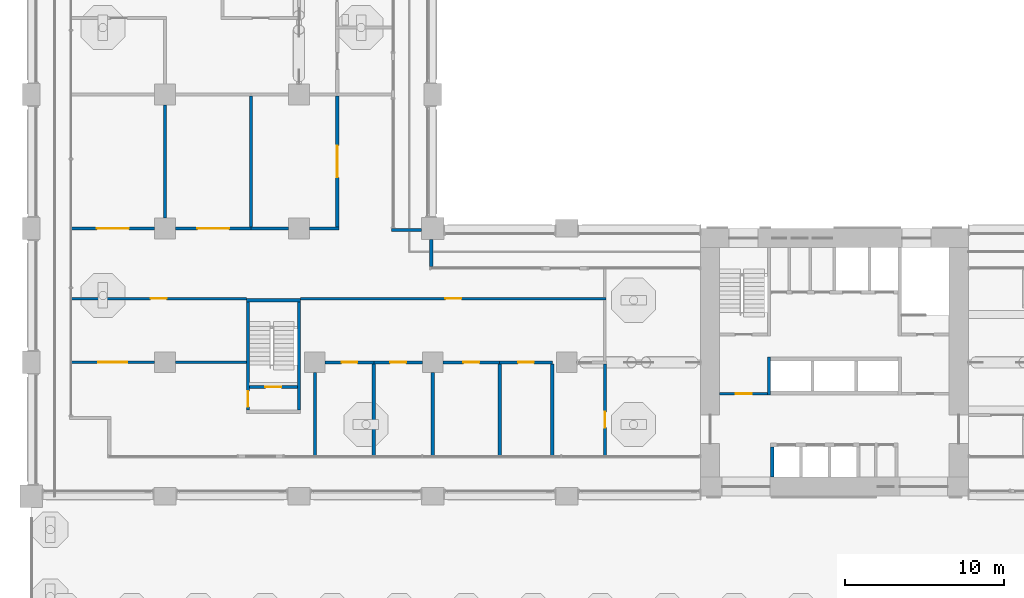
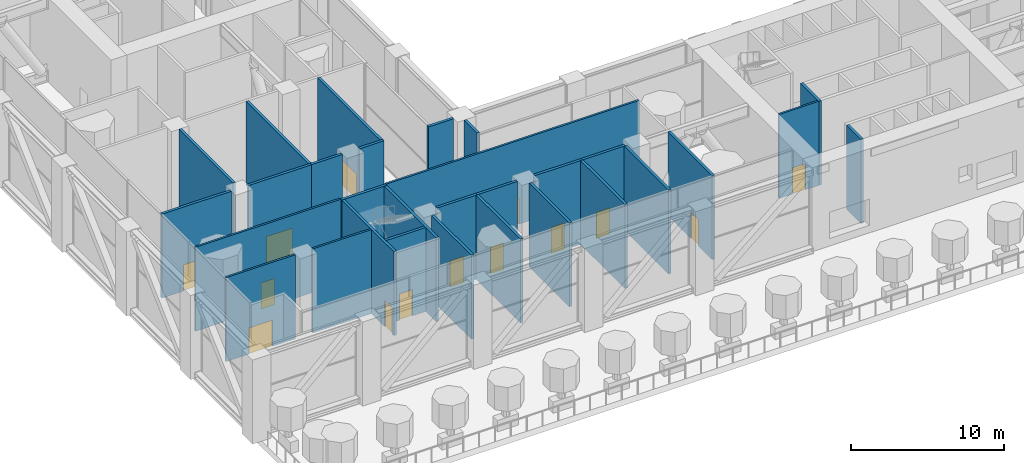
# One storey, part 10 of 28: 30 walls, 14 doors, 14 openings.
"""IFC4 building model written with IfcOpenShell, lengths in metres."""

from ifc_helpers import new_model, si_unit, direction, frame, frame_2d, origin, place, context, subcontext, project, spatial, rectangle, extrude, material, layer, layer_set, type_object, element, fill, save


model = new_model("IFC4")

# Units and contexts
model_context = context("Model", 3, precision=1e-05, world=origin(), true_north=direction((0.0, 1.0)))
body_context = subcontext(model_context, "Body", "Model", "MODEL_VIEW")
ifc_project = project(units=[si_unit("LENGTHUNIT", "METRE"), si_unit("AREAUNIT", "SQUARE_METRE"), si_unit("VOLUMEUNIT", "CUBIC_METRE"), si_unit("PLANEANGLEUNIT", "RADIAN"), si_unit("MASSUNIT", "GRAM", prefix="KILO")], contexts=[model_context])

# Site, building, storey
site_placement = place(None, origin())
site = spatial("IfcSite", under=ifc_project, at=site_placement, CompositionType="ELEMENT")
building_placement = place(site_placement, origin())
building = spatial("IfcBuilding", under=site, at=building_placement, Name="Vermilion Gate Residences", CompositionType="ELEMENT")
storey_placement = place(building_placement, frame((0.0, 0.0, 74.199951171875)))
storey = spatial("IfcBuildingStorey", under=building, at=storey_placement, Name="L18", CompositionType="ELEMENT", Elevation=74.199951171875)

# Wall, opening, door
ifc_material_1 = material(Name="Masonry blockwork", Category="masonry")
ifc_layer_1 = layer(ifc_material_1, 0.14990234375)
ifc_layer_set_1 = layer_set([ifc_layer_1], Name="BLOCKWORK PARTITION 150 EI 120")
wall_type_1 = type_object("IfcWallType", Name="BLOCKWORK PARTITION 150 EI 120", PredefinedType="PARTITIONING", material=ifc_layer_set_1)
wall_1_placement = place(storey_placement, frame((43.199951171875, 14.824951171875, 0.0), z_axis=(0.0, 0.0, 1.0), x_axis=(1.0, 0.0, 0.0)))
wall_1 = element("IfcWall", 1, at=wall_1_placement, inside=storey, type_object=wall_type_1, Name="Core room partition A18-VW-S", PredefinedType="PARTITIONING", context=body_context, shape_type="SweptSolid", body=[
    extrude(rectangle(XDim=3.0, YDim=0.14990234375, at=frame_2d((1.5, 0.0))), origin(), (0.0, 0.0, 1.0), 6.719970703125),
])
opening_1_placement = place(wall_1_placement, frame((1.0, 0.0, 0.0)))
opening_1 = element("IfcOpeningElement", 2, at=opening_1_placement, cuts=wall_1, Name="Opening DK18013", PredefinedType="OPENING", context=body_context, shape_type="SweptSolid", body=[
    extrude(rectangle(XDim=1.0, YDim=2.10009765625, at=frame_2d((0.5, 1.050048828125))), frame((0.0, 0.0849609375, 0.0), z_axis=(0.0, -1.0, 0.0), x_axis=(1.0, 0.0, 0.0)), (0.0, 0.0, 1.0), 0.169921875),
])
ifc_material_2 = material(Name="Steel", Category="steel")
door_type_1 = type_object("IfcDoorType", Name="FIRE DOOR FD60 1000 X 2100", OperationType="SINGLE_SWING_LEFT", PredefinedType="DOOR", material=ifc_material_2)
door_1_placement = place(opening_1_placement, frame((1.0, 0.0, 0.0), z_axis=(0.0, 0.0, 1.0), x_axis=(-1.0, 0.0, 0.0)))
door_1 = element("IfcDoor", 3, at=door_1_placement, inside=storey, type_object=door_type_1, Name="Stair vestibule door A18", OperationType="SINGLE_SWING_RIGHT", OverallHeight=2.10009765625, OverallWidth=1.0, PredefinedType="DOOR", context=body_context, shape_type="SweptSolid", body=[
    extrude(rectangle(XDim=1.0, YDim=2.10009765625, at=frame_2d((0.5, 1.050048828125))), frame((0.0, 0.02490234375, 0.0), z_axis=(0.0, -1.0, 0.0), x_axis=(1.0, 0.0, 0.0)), (0.0, 0.0, 1.0), 0.050048828125),
])
fill(opening_1, door_1)

# Walls
ifc_material_3 = material(Name="Insulated steel stud wall with terracotta rainscreen", Category="masonry")
ifc_layer_2 = layer(ifc_material_3, 0.199951171875)
ifc_layer_set_2 = layer_set([ifc_layer_2], Name="EXTERNAL WALL 200 TERRACOTTA RAINSCREEN")
wall_type_2 = type_object("IfcWallType", Name="EXTERNAL WALL 200 TERRACOTTA RAINSCREEN", PredefinedType="SOLIDWALL", material=ifc_layer_set_2)
wall_2_placement = place(storey_placement, frame((25.10009765625, 22.800048828125, 0.0), z_axis=(0.0, 0.0, 1.0), x_axis=(0.0, 1.0, 0.0)))
element("IfcWall", 4, at=wall_2_placement, inside=storey, type_object=wall_type_2, Name="External wall", PredefinedType="SOLIDWALL", context=body_context, shape_type="SweptSolid", body=[
    extrude(rectangle(XDim=1.699951171875, YDim=0.199951171875, at=frame_2d((0.85009765625, 0.0))), origin(), (0.0, 0.0, 1.0), 6.719970703125),
])
wall_3_placement = place(storey_placement, frame((24.5, 25.10009765625, 0.0), z_axis=(0.0, 0.0, 1.0), x_axis=(-1.0, 0.0, 0.0)))
element("IfcWall", 5, at=wall_3_placement, inside=storey, type_object=wall_type_2, Name="External wall", PredefinedType="SOLIDWALL", context=body_context, shape_type="SweptSolid", body=[
    extrude(rectangle(XDim=1.89990234375, YDim=0.199951171875, at=frame_2d((0.949951171875, 0.0))), origin(), (0.0, 0.0, 1.0), 6.719970703125),
])

# Wall, opening, door
ifc_material_4 = material(Name="Concrete blockwork", Category="masonry")
ifc_layer_3 = layer(ifc_material_4, 0.199951171875)
ifc_layer_set_3 = layer_set([ifc_layer_3], Name="FIRE WALL 200 EI 120 (AMENITY)")
wall_type_3 = type_object("IfcWallType", Name="FIRE WALL 200 EI 120 (AMENITY)", PredefinedType="PARTITIONING", material=ifc_layer_set_3)
wall_4_placement = place(storey_placement, frame((2.5, 25.199951171875, 0.0), z_axis=(0.0, 0.0, 1.0), x_axis=(1.0, 0.0, 0.0)))
wall_4 = element("IfcWall", 6, at=wall_4_placement, inside=storey, type_object=wall_type_3, Name="Fire-resisting wall 4", PredefinedType="PARTITIONING", context=body_context, shape_type="SweptSolid", body=[
    extrude(rectangle(XDim=5.25, YDim=0.199951171875, at=frame_2d((2.625, 0.0))), origin(), (0.0, 0.0, 1.0), 6.719970703125),
])
opening_2_placement = place(wall_4_placement, frame((1.625, 0.0, 0.0)))
opening_2 = element("IfcOpeningElement", 7, at=opening_2_placement, cuts=wall_4, Name="Opening DM18009", PredefinedType="OPENING", context=body_context, shape_type="SweptSolid", body=[
    extrude(rectangle(XDim=2.0, YDim=2.10009765625, at=frame_2d((1.0, 1.050048828125))), frame((0.0, 0.10986328125, 0.0), z_axis=(0.0, -1.0, 0.0), x_axis=(1.0, 0.0, 0.0)), (0.0, 0.0, 1.0), 0.219970703125),
])
ifc_material_5 = material(Name="Steel", Category="steel")
door_type_2 = type_object("IfcDoorType", Name="DOUBLE DOOR 2000 X 2100 FD60 (AMENITY)", OperationType="DOUBLE_DOOR_SINGLE_SWING", PredefinedType="DOOR", material=ifc_material_5)
door_2_placement = place(opening_2_placement, origin())
door_2 = element("IfcDoor", 8, at=door_2_placement, inside=storey, type_object=door_type_2, Name="Door L18 9", OperationType="DOUBLE_DOOR_SINGLE_SWING", OverallHeight=2.10009765625, OverallWidth=2.0, PredefinedType="DOOR", context=body_context, shape_type="SweptSolid", body=[
    extrude(rectangle(XDim=2.0, YDim=2.10009765625, at=frame_2d((1.0, 1.050048828125))), frame((0.0, 0.02490234375, 0.0), z_axis=(0.0, -1.0, 0.0), x_axis=(1.0, 0.0, 0.0)), (0.0, 0.0, 1.0), 0.050048828125),
])
fill(opening_2, door_2)

# Wall
wall_5_placement = place(storey_placement, frame((8.39990234375, 25.85009765625, 0.0), z_axis=(0.0, 0.0, 1.0), x_axis=(0.0, 1.0, 0.0)))
element("IfcWall", 9, at=wall_5_placement, inside=storey, type_object=wall_type_3, Name="Fire-resisting wall 8", PredefinedType="PARTITIONING", context=body_context, shape_type="SweptSolid", body=[
    extrude(rectangle(XDim=7.099853515625, YDim=0.199951171875, at=frame_2d((3.5498046875, 0.0))), origin(), (0.0, 0.0, 1.0), 6.719970703125),
])

# Wall, opening, door
wall_6_placement = place(storey_placement, frame((9.050048828125, 25.199951171875, 0.0), z_axis=(0.0, 0.0, 1.0), x_axis=(1.0, 0.0, 0.0)))
wall_6 = element("IfcWall", 10, at=wall_6_placement, inside=storey, type_object=wall_type_3, Name="Fire-resisting wall 9", PredefinedType="PARTITIONING", context=body_context, shape_type="SweptSolid", body=[
    extrude(rectangle(XDim=4.75, YDim=0.199951171875, at=frame_2d((2.375, 0.0))), origin(), (0.0, 0.0, 1.0), 6.719970703125),
])
opening_3_placement = place(wall_6_placement, frame((1.375, 0.0, 0.0)))
opening_3 = element("IfcOpeningElement", 11, at=opening_3_placement, cuts=wall_6, Name="Opening DM18010", PredefinedType="OPENING", context=body_context, shape_type="SweptSolid", body=[
    extrude(rectangle(XDim=2.0, YDim=2.10009765625, at=frame_2d((1.0, 1.050048828125))), frame((0.0, 0.10986328125, 0.0), z_axis=(0.0, -1.0, 0.0), x_axis=(1.0, 0.0, 0.0)), (0.0, 0.0, 1.0), 0.219970703125),
])
door_3_placement = place(opening_3_placement, origin())
door_3 = element("IfcDoor", 12, at=door_3_placement, inside=storey, type_object=door_type_2, Name="Door L18 10", OperationType="DOUBLE_DOOR_SINGLE_SWING", OverallHeight=2.10009765625, OverallWidth=2.0, PredefinedType="DOOR", context=body_context, shape_type="SweptSolid", body=[
    extrude(rectangle(XDim=2.0, YDim=2.10009765625, at=frame_2d((1.0, 1.050048828125))), frame((0.0, 0.02490234375, 0.0), z_axis=(0.0, -1.0, 0.0), x_axis=(1.0, 0.0, 0.0)), (0.0, 0.0, 1.0), 0.050048828125),
])
fill(opening_3, door_3)

# Walls
wall_7_placement = place(storey_placement, frame((13.800048828125, 25.300048828125, 0.0), z_axis=(0.0, 0.0, 1.0), x_axis=(0.0, 1.0, 0.0)))
element("IfcWall", 13, at=wall_7_placement, inside=storey, type_object=wall_type_3, Name="Fire-resisting wall 14", PredefinedType="PARTITIONING", context=body_context, shape_type="SweptSolid", body=[
    extrude(rectangle(XDim=8.199951171875, YDim=0.199951171875, at=frame_2d((4.10009765625, 0.0))), origin(), (0.0, 0.0, 1.0), 6.719970703125),
])
wall_8_placement = place(storey_placement, frame((13.800048828125, 25.199951171875, 0.0), z_axis=(0.0, 0.0, 1.0), x_axis=(1.0, 0.0, 0.0)))
element("IfcWall", 14, at=wall_8_placement, inside=storey, type_object=wall_type_3, Name="Fire-resisting wall 15", PredefinedType="PARTITIONING", context=body_context, shape_type="SweptSolid", body=[
    extrude(rectangle(XDim=2.349853515625, YDim=0.199951171875, at=frame_2d((1.1748046875, 0.0))), origin(), (0.0, 0.0, 1.0), 6.719970703125),
])
wall_9_placement = place(storey_placement, frame((17.449951171875, 25.199951171875, 0.0), z_axis=(0.0, 0.0, 1.0), x_axis=(1.0, 0.0, 0.0)))
element("IfcWall", 15, at=wall_9_placement, inside=storey, type_object=wall_type_3, Name="Fire-resisting wall 16", PredefinedType="PARTITIONING", context=body_context, shape_type="SweptSolid", body=[
    extrude(rectangle(XDim=1.85009765625, YDim=0.199951171875, at=frame_2d((0.925048828125, 0.0))), origin(), (0.0, 0.0, 1.0), 6.719970703125),
])
wall_10_placement = place(storey_placement, frame((17.800048828125, 10.89990234375, 0.0), z_axis=(0.0, 0.0, 1.0), x_axis=(0.0, 1.0, 0.0)))
element("IfcWall", 16, at=wall_10_placement, inside=storey, type_object=wall_type_3, Name="Fire-resisting wall 21", PredefinedType="PARTITIONING", context=body_context, shape_type="SweptSolid", body=[
    extrude(rectangle(XDim=5.25, YDim=0.199951171875, at=frame_2d((2.625, 0.0))), origin(), (0.0, 0.0, 1.0), 6.719970703125),
])

# Wall, opening, door
wall_11_placement = place(storey_placement, frame((18.449951171875, 16.800048828125, 0.0), z_axis=(0.0, 0.0, 1.0), x_axis=(1.0, 0.0, 0.0)))
wall_11 = element("IfcWall", 17, at=wall_11_placement, inside=storey, type_object=wall_type_3, Name="Fire-resisting wall 22", PredefinedType="PARTITIONING", context=body_context, shape_type="SweptSolid", body=[
    extrude(rectangle(XDim=3.050048828125, YDim=0.199951171875, at=frame_2d((1.52490234375, 0.0))), origin(), (0.0, 0.0, 1.0), 6.719970703125),
])
opening_4_placement = place(wall_11_placement, frame((1.02490234375, 0.0, 0.0)))
opening_4 = element("IfcOpeningElement", 18, at=opening_4_placement, cuts=wall_11, Name="Opening DM18002", PredefinedType="OPENING", context=body_context, shape_type="SweptSolid", body=[
    extrude(rectangle(XDim=1.0, YDim=2.10009765625, at=frame_2d((0.5, 1.050048828125))), frame((0.0, 0.10986328125, 0.0), z_axis=(0.0, -1.0, 0.0), x_axis=(1.0, 0.0, 0.0)), (0.0, 0.0, 1.0), 0.219970703125),
])
ifc_material_6 = material(Name="Steel", Category="steel")
door_type_3 = type_object("IfcDoorType", Name="DOOR 1000 X 2100 FD60 (AMENITY)", OperationType="SINGLE_SWING_LEFT", PredefinedType="DOOR", material=ifc_material_6)
door_4_placement = place(opening_4_placement, origin())
door_4 = element("IfcDoor", 19, at=door_4_placement, inside=storey, type_object=door_type_3, Name="Door L18 2", OperationType="SINGLE_SWING_LEFT", OverallHeight=2.10009765625, OverallWidth=1.0, PredefinedType="DOOR", context=body_context, shape_type="SweptSolid", body=[
    extrude(rectangle(XDim=1.0, YDim=2.10009765625, at=frame_2d((0.5, 1.050048828125))), frame((0.0, 0.02490234375, 0.0), z_axis=(0.0, -1.0, 0.0), x_axis=(1.0, 0.0, 0.0)), (0.0, 0.0, 1.0), 0.050048828125),
])
fill(opening_4, door_4)

wall_12_placement = place(storey_placement, frame((19.199951171875, 25.300048828125, 0.0), z_axis=(0.0, 0.0, 1.0), x_axis=(0.0, 1.0, 0.0)))
wall_12 = element("IfcWall", 20, at=wall_12_placement, inside=storey, type_object=wall_type_3, Name="Fire-resisting wall 23", PredefinedType="PARTITIONING", context=body_context, shape_type="SweptSolid", body=[
    extrude(rectangle(XDim=8.199951171875, YDim=0.199951171875, at=frame_2d((4.10009765625, 0.0))), origin(), (0.0, 0.0, 1.0), 6.719970703125),
])
opening_5_placement = place(wall_12_placement, frame((3.10009765625, 0.0, 0.0)))
opening_5 = element("IfcOpeningElement", 21, at=opening_5_placement, cuts=wall_12, Name="Opening DM18011", PredefinedType="OPENING", context=body_context, shape_type="SweptSolid", body=[
    extrude(rectangle(XDim=2.0, YDim=2.10009765625, at=frame_2d((1.0, 1.050048828125))), frame((0.0, 0.10986328125, 0.0), z_axis=(0.0, -1.0, 0.0), x_axis=(1.0, 0.0, 0.0)), (0.0, 0.0, 1.0), 0.219970703125),
])
door_5_placement = place(opening_5_placement, origin())
door_5 = element("IfcDoor", 22, at=door_5_placement, inside=storey, type_object=door_type_2, Name="Door L18 11", OperationType="DOUBLE_DOOR_SINGLE_SWING", OverallHeight=2.10009765625, OverallWidth=2.0, PredefinedType="DOOR", context=body_context, shape_type="SweptSolid", body=[
    extrude(rectangle(XDim=2.0, YDim=2.10009765625, at=frame_2d((1.0, 1.050048828125))), frame((0.0, 0.02490234375, 0.0), z_axis=(0.0, -1.0, 0.0), x_axis=(1.0, 0.0, 0.0)), (0.0, 0.0, 1.0), 0.050048828125),
])
fill(opening_5, door_5)

# Wall
wall_13_placement = place(storey_placement, frame((21.5, 10.89990234375, 0.0), z_axis=(0.0, 0.0, 1.0), x_axis=(0.0, 1.0, 0.0)))
element("IfcWall", 23, at=wall_13_placement, inside=storey, type_object=wall_type_3, Name="Fire-resisting wall 28", PredefinedType="PARTITIONING", context=body_context, shape_type="SweptSolid", body=[
    extrude(rectangle(XDim=5.800048828125, YDim=0.199951171875, at=frame_2d((2.89990234375, 0.0))), origin(), (0.0, 0.0, 1.0), 6.719970703125),
])

# Wall, opening, door
wall_14_placement = place(storey_placement, frame((21.5, 16.800048828125, 0.0), z_axis=(0.0, 0.0, 1.0), x_axis=(1.0, 0.0, 0.0)))
wall_14 = element("IfcWall", 24, at=wall_14_placement, inside=storey, type_object=wall_type_3, Name="Fire-resisting wall 29", PredefinedType="PARTITIONING", context=body_context, shape_type="SweptSolid", body=[
    extrude(rectangle(XDim=3.050048828125, YDim=0.199951171875, at=frame_2d((1.52490234375, 0.0))), origin(), (0.0, 0.0, 1.0), 6.719970703125),
])
opening_6_placement = place(wall_14_placement, frame((1.02490234375, 0.0, 0.0)))
opening_6 = element("IfcOpeningElement", 25, at=opening_6_placement, cuts=wall_14, Name="Opening DM18003", PredefinedType="OPENING", context=body_context, shape_type="SweptSolid", body=[
    extrude(rectangle(XDim=1.0, YDim=2.10009765625, at=frame_2d((0.5, 1.050048828125))), frame((0.0, 0.10986328125, 0.0), z_axis=(0.0, -1.0, 0.0), x_axis=(1.0, 0.0, 0.0)), (0.0, 0.0, 1.0), 0.219970703125),
])
door_6_placement = place(opening_6_placement, origin())
door_6 = element("IfcDoor", 26, at=door_6_placement, inside=storey, type_object=door_type_3, Name="Door L18 3", OperationType="SINGLE_SWING_RIGHT", OverallHeight=2.10009765625, OverallWidth=1.0, PredefinedType="DOOR", context=body_context, shape_type="SweptSolid", body=[
    extrude(rectangle(XDim=1.0, YDim=2.10009765625, at=frame_2d((0.5, 1.050048828125))), frame((0.0, 0.02490234375, 0.0), z_axis=(0.0, -1.0, 0.0), x_axis=(1.0, 0.0, 0.0)), (0.0, 0.0, 1.0), 0.050048828125),
])
fill(opening_6, door_6)

# Wall
wall_15_placement = place(storey_placement, frame((25.199951171875, 10.89990234375, 0.0), z_axis=(0.0, 0.0, 1.0), x_axis=(0.0, 1.0, 0.0)))
element("IfcWall", 27, at=wall_15_placement, inside=storey, type_object=wall_type_3, Name="Fire-resisting wall 30", PredefinedType="PARTITIONING", context=body_context, shape_type="SweptSolid", body=[
    extrude(rectangle(XDim=5.25, YDim=0.199951171875, at=frame_2d((2.625, 0.0))), origin(), (0.0, 0.0, 1.0), 6.719970703125),
])

# Wall, opening, door
wall_16_placement = place(storey_placement, frame((25.85009765625, 16.800048828125, 0.0), z_axis=(0.0, 0.0, 1.0), x_axis=(1.0, 0.0, 0.0)))
wall_16 = element("IfcWall", 28, at=wall_16_placement, inside=storey, type_object=wall_type_3, Name="Fire-resisting wall 31", PredefinedType="PARTITIONING", context=body_context, shape_type="SweptSolid", body=[
    extrude(rectangle(XDim=3.5498046875, YDim=0.199951171875, at=frame_2d((1.77490234375, 0.0))), origin(), (0.0, 0.0, 1.0), 6.719970703125),
])
opening_7_placement = place(wall_16_placement, frame((1.27490234375, 0.0, 0.0)))
opening_7 = element("IfcOpeningElement", 29, at=opening_7_placement, cuts=wall_16, Name="Opening DM18004", PredefinedType="OPENING", context=body_context, shape_type="SweptSolid", body=[
    extrude(rectangle(XDim=1.0, YDim=2.10009765625, at=frame_2d((0.5, 1.050048828125))), frame((0.0, 0.10986328125, 0.0), z_axis=(0.0, -1.0, 0.0), x_axis=(1.0, 0.0, 0.0)), (0.0, 0.0, 1.0), 0.219970703125),
])
door_7_placement = place(opening_7_placement, origin())
door_7 = element("IfcDoor", 30, at=door_7_placement, inside=storey, type_object=door_type_3, Name="Door L18 4", OperationType="SINGLE_SWING_LEFT", OverallHeight=2.10009765625, OverallWidth=1.0, PredefinedType="DOOR", context=body_context, shape_type="SweptSolid", body=[
    extrude(rectangle(XDim=1.0, YDim=2.10009765625, at=frame_2d((0.5, 1.050048828125))), frame((0.0, 0.02490234375, 0.0), z_axis=(0.0, -1.0, 0.0), x_axis=(1.0, 0.0, 0.0)), (0.0, 0.0, 1.0), 0.050048828125),
])
fill(opening_7, door_7)

# Wall
wall_17_placement = place(storey_placement, frame((29.39990234375, 10.89990234375, 0.0), z_axis=(0.0, 0.0, 1.0), x_axis=(0.0, 1.0, 0.0)))
element("IfcWall", 31, at=wall_17_placement, inside=storey, type_object=wall_type_3, Name="Fire-resisting wall 32", PredefinedType="PARTITIONING", context=body_context, shape_type="SweptSolid", body=[
    extrude(rectangle(XDim=5.800048828125, YDim=0.199951171875, at=frame_2d((2.89990234375, 0.0))), origin(), (0.0, 0.0, 1.0), 6.719970703125),
])

# Wall, opening, door
wall_18_placement = place(storey_placement, frame((29.39990234375, 16.800048828125, 0.0), z_axis=(0.0, 0.0, 1.0), x_axis=(1.0, 0.0, 0.0)))
wall_18 = element("IfcWall", 32, at=wall_18_placement, inside=storey, type_object=wall_type_3, Name="Fire-resisting wall 33", PredefinedType="PARTITIONING", context=body_context, shape_type="SweptSolid", body=[
    extrude(rectangle(XDim=3.300048828125, YDim=0.199951171875, at=frame_2d((1.64990234375, 0.0))), origin(), (0.0, 0.0, 1.0), 6.719970703125),
])
opening_8_placement = place(wall_18_placement, frame((1.14990234375, 0.0, 0.0)))
opening_8 = element("IfcOpeningElement", 33, at=opening_8_placement, cuts=wall_18, Name="Opening DM18005", PredefinedType="OPENING", context=body_context, shape_type="SweptSolid", body=[
    extrude(rectangle(XDim=1.0, YDim=2.10009765625, at=frame_2d((0.5, 1.050048828125))), frame((0.0, 0.10986328125, 0.0), z_axis=(0.0, -1.0, 0.0), x_axis=(1.0, 0.0, 0.0)), (0.0, 0.0, 1.0), 0.219970703125),
])
door_8_placement = place(opening_8_placement, origin())
door_8 = element("IfcDoor", 34, at=door_8_placement, inside=storey, type_object=door_type_3, Name="Door L18 5", OperationType="SINGLE_SWING_RIGHT", OverallHeight=2.10009765625, OverallWidth=1.0, PredefinedType="DOOR", context=body_context, shape_type="SweptSolid", body=[
    extrude(rectangle(XDim=1.0, YDim=2.10009765625, at=frame_2d((0.5, 1.050048828125))), frame((0.0, 0.02490234375, 0.0), z_axis=(0.0, -1.0, 0.0), x_axis=(1.0, 0.0, 0.0)), (0.0, 0.0, 1.0), 0.050048828125),
])
fill(opening_8, door_8)

# Wall
wall_19_placement = place(storey_placement, frame((32.699951171875, 10.89990234375, 0.0), z_axis=(0.0, 0.0, 1.0), x_axis=(0.0, 1.0, 0.0)))
element("IfcWall", 35, at=wall_19_placement, inside=storey, type_object=wall_type_3, Name="Fire-resisting wall 34", PredefinedType="PARTITIONING", context=body_context, shape_type="SweptSolid", body=[
    extrude(rectangle(XDim=5.800048828125, YDim=0.199951171875, at=frame_2d((2.89990234375, 0.0))), origin(), (0.0, 0.0, 1.0), 6.719970703125),
])

# Wall, opening, door
wall_20_placement = place(storey_placement, frame((36.0, 10.89990234375, 0.0), z_axis=(0.0, 0.0, 1.0), x_axis=(0.0, 1.0, 0.0)))
wall_20 = element("IfcWall", 36, at=wall_20_placement, inside=storey, type_object=wall_type_3, Name="Fire-resisting wall 36", PredefinedType="PARTITIONING", context=body_context, shape_type="SweptSolid", body=[
    extrude(rectangle(XDim=5.800048828125, YDim=0.199951171875, at=frame_2d((2.89990234375, 0.0))), origin(), (0.0, 0.0, 1.0), 6.719970703125),
])
opening_9_placement = place(wall_20_placement, frame((1.800048828125, 0.0, 0.0)))
opening_9 = element("IfcOpeningElement", 37, at=opening_9_placement, cuts=wall_20, Name="Opening DM18006", PredefinedType="OPENING", context=body_context, shape_type="SweptSolid", body=[
    extrude(rectangle(XDim=1.0, YDim=2.10009765625, at=frame_2d((0.5, 1.050048828125))), frame((0.0, 0.10986328125, 0.0), z_axis=(0.0, -1.0, 0.0), x_axis=(1.0, 0.0, 0.0)), (0.0, 0.0, 1.0), 0.219970703125),
])
door_9_placement = place(opening_9_placement, frame((1.0, 0.0, 0.0), z_axis=(0.0, 0.0, 1.0), x_axis=(-1.0, 0.0, 0.0)))
door_9 = element("IfcDoor", 38, at=door_9_placement, inside=storey, type_object=door_type_3, Name="Door L18 6", OperationType="SINGLE_SWING_LEFT", OverallHeight=2.10009765625, OverallWidth=1.0, PredefinedType="DOOR", context=body_context, shape_type="SweptSolid", body=[
    extrude(rectangle(XDim=1.0, YDim=2.10009765625, at=frame_2d((0.5, 1.050048828125))), frame((0.0, 0.02490234375, 0.0), z_axis=(0.0, -1.0, 0.0), x_axis=(1.0, 0.0, 0.0)), (0.0, 0.0, 1.0), 0.050048828125),
])
fill(opening_9, door_9)

ifc_material_7 = material(Name="Gypsum board on steel studs", Category="steel")
ifc_layer_4 = layer(ifc_material_7, 0.14990234375)
ifc_layer_set_4 = layer_set([ifc_layer_4], Name="PARTITION 150 EI 60 (AMENITY)")
wall_type_4 = type_object("IfcWallType", Name="PARTITION 150 EI 60 (AMENITY)", PredefinedType="PARTITIONING", material=ifc_layer_set_4)
wall_21_placement = place(storey_placement, frame((2.5, 16.800048828125, 0.0), z_axis=(0.0, 0.0, 1.0), x_axis=(1.0, 0.0, 0.0)))
wall_21 = element("IfcWall", 39, at=wall_21_placement, inside=storey, type_object=wall_type_4, Name="Partition 1", PredefinedType="PARTITIONING", context=body_context, shape_type="SweptSolid", body=[
    extrude(rectangle(XDim=5.25, YDim=0.14990234375, at=frame_2d((2.625, 0.0))), origin(), (0.0, 0.0, 1.0), 6.719970703125),
])
opening_10_placement = place(wall_21_placement, frame((1.72509765625, 0.0, 0.0)))
opening_10 = element("IfcOpeningElement", 40, at=opening_10_placement, cuts=wall_21, Name="Opening DM18001", PredefinedType="OPENING", context=body_context, shape_type="SweptSolid", body=[
    extrude(rectangle(XDim=1.800048828125, YDim=2.10009765625, at=frame_2d((0.89990234375, 1.050048828125))), frame((0.0, 0.0849609375, 0.0), z_axis=(0.0, -1.0, 0.0), x_axis=(1.0, 0.0, 0.0)), (0.0, 0.0, 1.0), 0.169921875),
])
ifc_material_8 = material(Name="Steel", Category="steel")
door_type_4 = type_object("IfcDoorType", Name="DOUBLE DOOR 1800 X 2100 FD30 (AMENITY)", OperationType="DOUBLE_DOOR_SINGLE_SWING", PredefinedType="DOOR", material=ifc_material_8)
door_10_placement = place(opening_10_placement, origin())
door_10 = element("IfcDoor", 41, at=door_10_placement, inside=storey, type_object=door_type_4, Name="Door L18 1", OperationType="DOUBLE_DOOR_SINGLE_SWING", OverallHeight=2.10009765625, OverallWidth=1.800048828125, PredefinedType="DOOR", context=body_context, shape_type="SweptSolid", body=[
    extrude(rectangle(XDim=1.800048828125, YDim=2.10009765625, at=frame_2d((0.89990234375, 1.050048828125))), frame((0.0, 0.02490234375, 0.0), z_axis=(0.0, -1.0, 0.0), x_axis=(1.0, 0.0, 0.0)), (0.0, 0.0, 1.0), 0.050048828125),
])
fill(opening_10, door_10)

# Wall
wall_22_placement = place(storey_placement, frame((9.050048828125, 16.800048828125, 0.0), z_axis=(0.0, 0.0, 1.0), x_axis=(1.0, 0.0, 0.0)))
element("IfcWall", 42, at=wall_22_placement, inside=storey, type_object=wall_type_4, Name="Partition 2", PredefinedType="PARTITIONING", context=body_context, shape_type="SweptSolid", body=[
    extrude(rectangle(XDim=4.449951171875, YDim=0.14990234375, at=frame_2d((2.22509765625, 0.0))), origin(), (0.0, 0.0, 1.0), 6.719970703125),
])

# Wall, opening, door
wall_23_placement = place(storey_placement, frame((2.5, 20.800048828125, 0.0), z_axis=(0.0, 0.0, 1.0), x_axis=(1.0, 0.0, 0.0)))
wall_23 = element("IfcWall", 43, at=wall_23_placement, inside=storey, type_object=wall_type_4, Name="Partition 3", PredefinedType="PARTITIONING", context=body_context, shape_type="SweptSolid", body=[
    extrude(rectangle(XDim=11.0, YDim=0.14990234375, at=frame_2d((5.5, 0.0))), origin(), (0.0, 0.0, 1.0), 6.719970703125),
])
opening_11_placement = place(wall_23_placement, frame((5.0, 0.0, 0.0)))
opening_11 = element("IfcOpeningElement", 44, at=opening_11_placement, cuts=wall_23, Name="Opening DM18013", PredefinedType="OPENING", context=body_context, shape_type="SweptSolid", body=[
    extrude(rectangle(XDim=1.0, YDim=2.10009765625, at=frame_2d((0.5, 1.050048828125))), frame((0.0, 0.0849609375, 0.0), z_axis=(0.0, -1.0, 0.0), x_axis=(1.0, 0.0, 0.0)), (0.0, 0.0, 1.0), 0.169921875),
])
ifc_material_9 = material(Name="Steel", Category="steel")
door_type_5 = type_object("IfcDoorType", Name="DOOR 1000 X 2100 FD30 (AMENITY)", OperationType="SINGLE_SWING_LEFT", PredefinedType="DOOR", material=ifc_material_9)
door_11_placement = place(opening_11_placement, frame((1.0, 0.0, 0.0), z_axis=(0.0, 0.0, 1.0), x_axis=(-1.0, 0.0, 0.0)))
door_11 = element("IfcDoor", 45, at=door_11_placement, inside=storey, type_object=door_type_5, Name="Door L18 13", OperationType="SINGLE_SWING_RIGHT", OverallHeight=2.10009765625, OverallWidth=1.0, PredefinedType="DOOR", context=body_context, shape_type="SweptSolid", body=[
    extrude(rectangle(XDim=1.0, YDim=2.10009765625, at=frame_2d((0.5, 1.050048828125))), frame((0.0, 0.02490234375, 0.0), z_axis=(0.0, -1.0, 0.0), x_axis=(1.0, 0.0, 0.0)), (0.0, 0.0, 1.0), 0.050048828125),
])
fill(opening_11, door_11)

wall_24_placement = place(storey_placement, frame((16.89990234375, 20.800048828125, 0.0), z_axis=(0.0, 0.0, 1.0), x_axis=(1.0, 0.0, 0.0)))
wall_24 = element("IfcWall", 46, at=wall_24_placement, inside=storey, type_object=wall_type_4, Name="Partition 20", PredefinedType="PARTITIONING", context=body_context, shape_type="SweptSolid", body=[
    extrude(rectangle(XDim=19.175048828125, YDim=0.14990234375, at=frame_2d((9.58740234375, 0.0))), origin(), (0.0, 0.0, 1.0), 6.719970703125),
])
opening_12_placement = place(wall_24_placement, frame((9.08740234375, 0.0, 0.0)))
opening_12 = element("IfcOpeningElement", 47, at=opening_12_placement, cuts=wall_24, Name="Opening DM18014", PredefinedType="OPENING", context=body_context, shape_type="SweptSolid", body=[
    extrude(rectangle(XDim=1.0, YDim=2.10009765625, at=frame_2d((0.5, 1.050048828125))), frame((0.0, 0.0849609375, 0.0), z_axis=(0.0, -1.0, 0.0), x_axis=(1.0, 0.0, 0.0)), (0.0, 0.0, 1.0), 0.169921875),
])
door_12_placement = place(opening_12_placement, frame((1.0, 0.0, 0.0), z_axis=(0.0, 0.0, 1.0), x_axis=(-1.0, 0.0, 0.0)))
door_12 = element("IfcDoor", 48, at=door_12_placement, inside=storey, type_object=door_type_5, Name="Door L18 14", OperationType="SINGLE_SWING_RIGHT", OverallHeight=2.10009765625, OverallWidth=1.0, PredefinedType="DOOR", context=body_context, shape_type="SweptSolid", body=[
    extrude(rectangle(XDim=1.0, YDim=2.10009765625, at=frame_2d((0.5, 1.050048828125))), frame((0.0, 0.02490234375, 0.0), z_axis=(0.0, -1.0, 0.0), x_axis=(1.0, 0.0, 0.0)), (0.0, 0.0, 1.0), 0.050048828125),
])
fill(opening_12, door_12)

# Walls
ifc_material_10 = material(Name="Concrete C60", Category="concrete")
ifc_layer_5 = layer(ifc_material_10, 0.199951171875)
ifc_layer_set_5 = layer_set([ifc_layer_5], Name="RC CORE INTERNAL WALL 200 C60")
wall_type_5 = type_object("IfcWallType", Name="RC CORE INTERNAL WALL 200 C60", PredefinedType="SHEAR", material=ifc_layer_set_5)
wall_25_placement = place(storey_placement, frame((46.5, 9.60009765625, 0.0), z_axis=(0.0, 0.0, 1.0), x_axis=(0.0, 1.0, 0.0)))
element("IfcWall", 49, at=wall_25_placement, inside=storey, type_object=wall_type_5, Name="Core internal wall A18-LR-D0", PredefinedType="SHEAR", context=body_context, shape_type="SweptSolid", body=[
    extrude(rectangle(XDim=1.89990234375, YDim=0.199951171875, at=frame_2d((0.949951171875, 0.0))), origin(), (0.0, 0.0, 1.0), 6.719970703125),
])
wall_26_placement = place(storey_placement, frame((46.300048828125, 14.75, 0.0), z_axis=(0.0, 0.0, 1.0), x_axis=(0.0, 1.0, 0.0)))
element("IfcWall", 50, at=wall_26_placement, inside=storey, type_object=wall_type_5, Name="Core internal wall A18-WDIV1", PredefinedType="SHEAR", context=body_context, shape_type="SweptSolid", body=[
    extrude(rectangle(XDim=2.39990234375, YDim=0.199951171875, at=frame_2d((1.199951171875, 0.0))), origin(), (0.0, 0.0, 1.0), 6.719970703125),
])

# Wall, opening, door
wall_27_placement = place(storey_placement, frame((13.60009765625, 13.800048828125, 0.0), z_axis=(0.0, 0.0, 1.0), x_axis=(0.0, 1.0, 0.0)))
wall_27 = element("IfcWall", 51, at=wall_27_placement, inside=storey, type_object=wall_type_5, Name="Core internal wall C18-W", PredefinedType="SHEAR", context=body_context, shape_type="SweptSolid", body=[
    extrude(rectangle(XDim=6.800048828125, YDim=0.199951171875, at=frame_2d((3.39990234375, 0.0))), origin(), (0.0, 0.0, 1.0), 6.719970703125),
])
opening_13_placement = place(wall_27_placement, frame((0.199951171875, 0.0, 0.0)))
opening_13 = element("IfcOpeningElement", 52, at=opening_13_placement, cuts=wall_27, Name="Opening DK18201", PredefinedType="OPENING", context=body_context, shape_type="SweptSolid", body=[
    extrude(rectangle(XDim=1.0, YDim=2.10009765625, at=frame_2d((0.5, 1.050048828125))), frame((0.0, 0.10986328125, 0.0), z_axis=(0.0, -1.0, 0.0), x_axis=(1.0, 0.0, 0.0)), (0.0, 0.0, 1.0), 0.219970703125),
])
door_13_placement = place(opening_13_placement, origin())
door_13 = element("IfcDoor", 53, at=door_13_placement, inside=storey, type_object=door_type_1, Name="Stair vestibule door C18", OperationType="SINGLE_SWING_RIGHT", OverallHeight=2.10009765625, OverallWidth=1.0, PredefinedType="DOOR", context=body_context, shape_type="SweptSolid", body=[
    extrude(rectangle(XDim=1.0, YDim=2.10009765625, at=frame_2d((0.5, 1.050048828125))), frame((0.0, 0.02490234375, 0.0), z_axis=(0.0, -1.0, 0.0), x_axis=(1.0, 0.0, 0.0)), (0.0, 0.0, 1.0), 0.050048828125),
])
fill(opening_13, door_13)

# Walls
wall_28_placement = place(storey_placement, frame((16.800048828125, 13.800048828125, 0.0), z_axis=(0.0, 0.0, 1.0), x_axis=(0.0, 1.0, 0.0)))
element("IfcWall", 54, at=wall_28_placement, inside=storey, type_object=wall_type_5, Name="Core internal wall C18-E", PredefinedType="SHEAR", context=body_context, shape_type="SweptSolid", body=[
    extrude(rectangle(XDim=6.800048828125, YDim=0.199951171875, at=frame_2d((3.39990234375, 0.0))), origin(), (0.0, 0.0, 1.0), 6.719970703125),
])
wall_29_placement = place(storey_placement, frame((13.5, 20.699951171875, 0.0), z_axis=(0.0, 0.0, 1.0), x_axis=(1.0, 0.0, 0.0)))
element("IfcWall", 55, at=wall_29_placement, inside=storey, type_object=wall_type_5, Name="Core internal wall C18-N", PredefinedType="SHEAR", context=body_context, shape_type="SweptSolid", body=[
    extrude(rectangle(XDim=3.39990234375, YDim=0.199951171875, at=frame_2d((1.699951171875, 0.0))), origin(), (0.0, 0.0, 1.0), 6.719970703125),
])

# Wall, opening, door
wall_30_placement = place(storey_placement, frame((13.699951171875, 15.25, 0.0), z_axis=(0.0, 0.0, 1.0), x_axis=(1.0, 0.0, 0.0)))
wall_30 = element("IfcWall", 56, at=wall_30_placement, inside=storey, type_object=wall_type_5, Name="Core internal wall C18-P", PredefinedType="SHEAR", context=body_context, shape_type="SweptSolid", body=[
    extrude(rectangle(XDim=3.0, YDim=0.199951171875, at=frame_2d((1.5, 0.0))), origin(), (0.0, 0.0, 1.0), 6.719970703125),
])
opening_14_placement = place(wall_30_placement, frame((1.0, 0.0, 0.0)))
opening_14 = element("IfcOpeningElement", 57, at=opening_14_placement, cuts=wall_30, Name="Opening DK18202", PredefinedType="OPENING", context=body_context, shape_type="SweptSolid", body=[
    extrude(rectangle(XDim=1.0, YDim=2.10009765625, at=frame_2d((0.5, 1.050048828125))), frame((0.0, 0.10986328125, 0.0), z_axis=(0.0, -1.0, 0.0), x_axis=(1.0, 0.0, 0.0)), (0.0, 0.0, 1.0), 0.219970703125),
])
door_14_placement = place(opening_14_placement, origin())
door_14 = element("IfcDoor", 58, at=door_14_placement, inside=storey, type_object=door_type_1, Name="Stair door C18", OperationType="SINGLE_SWING_LEFT", OverallHeight=2.10009765625, OverallWidth=1.0, PredefinedType="DOOR", context=body_context, shape_type="SweptSolid", body=[
    extrude(rectangle(XDim=1.0, YDim=2.10009765625, at=frame_2d((0.5, 1.050048828125))), frame((0.0, 0.02490234375, 0.0), z_axis=(0.0, -1.0, 0.0), x_axis=(1.0, 0.0, 0.0)), (0.0, 0.0, 1.0), 0.050048828125),
])
fill(opening_14, door_14)

save(model, "model.ifc")
